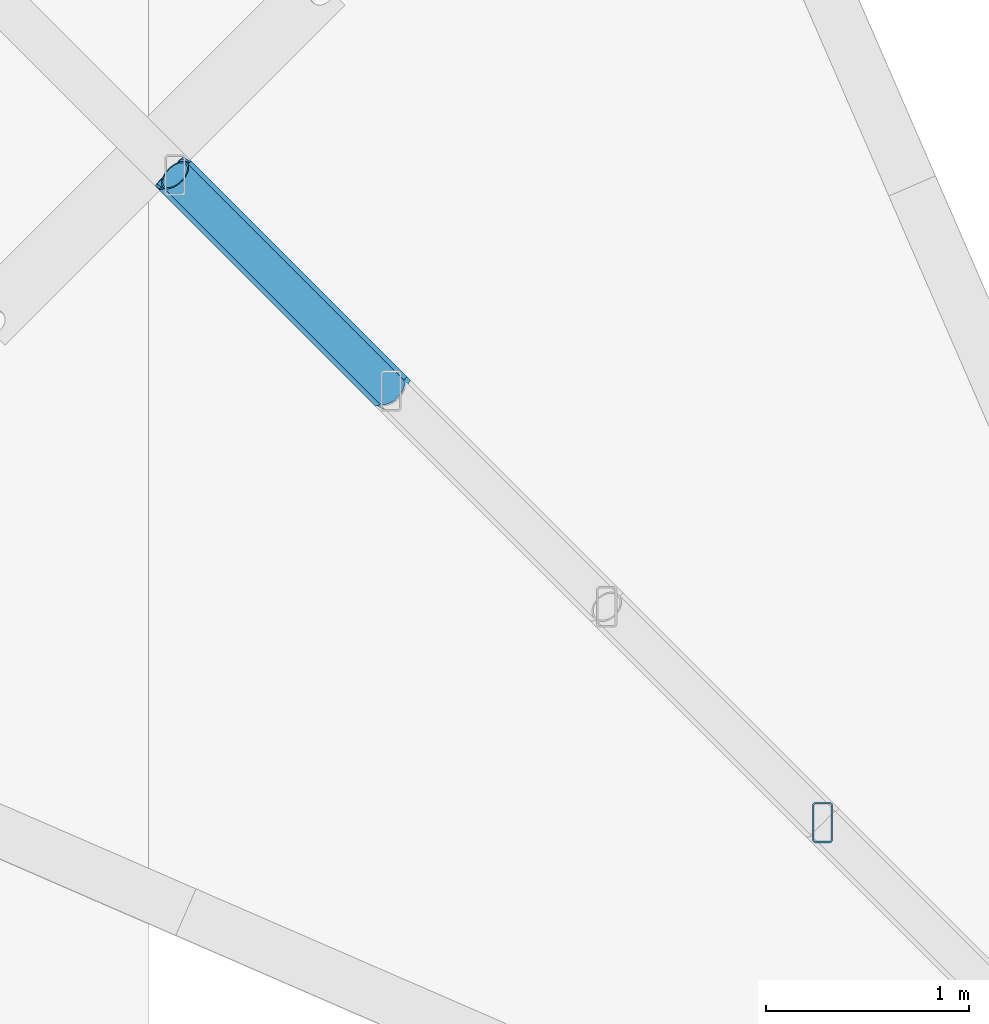
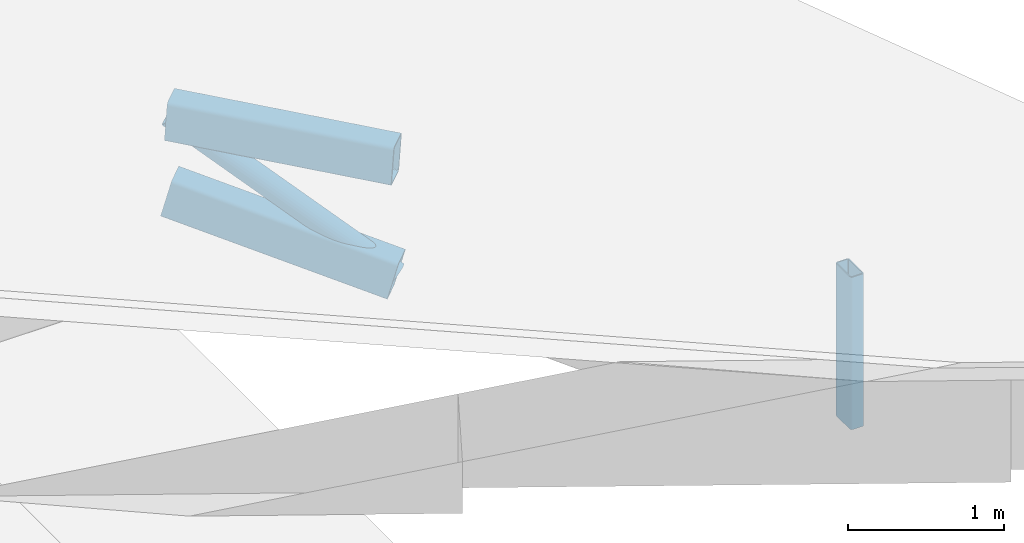
# One storey, part 35 of 95: 4 members.
"""IFC4 building model written with IfcOpenShell, lengths in metres."""

from ifc_helpers import new_model, si_unit, direction, frame, origin, origin_2d, place, context, subcontext, project, spatial, hollow_rectangle, hollow_circle, extrude, material, material_profile, profile_set, type_object, element, save


model = new_model("IFC4")

# Units and contexts
model_context = context("Model", 3, precision=1e-05, world=origin(), true_north=direction((0.0, 1.0)))
body_context = subcontext(model_context, "Body", "Model", "MODEL_VIEW")
ifc_project = project(units=[si_unit("LENGTHUNIT", "METRE"), si_unit("AREAUNIT", "SQUARE_METRE"), si_unit("VOLUMEUNIT", "CUBIC_METRE"), si_unit("PLANEANGLEUNIT", "RADIAN"), si_unit("MASSUNIT", "GRAM", prefix="KILO")], contexts=[model_context])

# Site, building, storey
site_placement = place(None, origin())
site = spatial("IfcSite", under=ifc_project, at=site_placement, CompositionType="ELEMENT")
building_placement = place(site_placement, origin())
building = spatial("IfcBuilding", under=site, at=building_placement, Name="Magnolia Steps Interchange", CompositionType="ELEMENT")
storey_placement = place(building_placement, frame((0.0, 0.0, 4.800048828125)))
storey = spatial("IfcBuildingStorey", under=building, at=storey_placement, Name="L01", CompositionType="ELEMENT", Elevation=4.800048828125)

# Members
ifc_material_1 = material(Name="Steel Q355B", Category="steel")
ifc_material_profile_1 = material_profile(ifc_material_1, hollow_rectangle(XDim=0.199951171875, YDim=0.300048828125, WallThickness=0.011962890625, InnerFilletRadius=0.011962890625, OuterFilletRadius=0.02392578125, at=origin_2d()), Name="RHS300x200x12")
ifc_profile_set_1 = profile_set([ifc_material_profile_1], Name="Steel Q355B")
member_type_1 = type_object("IfcMemberType", Name="Roof truss RHS300x200x12", PredefinedType="USERDEFINED", material=ifc_profile_set_1)
member_1_placement = place(storey_placement, frame((184.93115234375, 40.268798828125, 1.41259765625), z_axis=(0.706169125443, -0.706169125443, -0.051481380534), x_axis=(0.704299267169, 0.708043195164, -0.051355389664)))
element("IfcMember", 1, at=member_1_placement, inside=storey, type_object=member_type_1, Name="Spike truss SP-C-SE top chord", ObjectType="Roof truss", PredefinedType="USERDEFINED", context=body_context, shape_type="SweptSolid", body=[
    extrude(hollow_rectangle(XDim=0.199951171875, YDim=0.300048828125, WallThickness=0.011962890625, InnerFilletRadius=0.011962890625, OuterFilletRadius=0.02392578125, at=origin_2d()), origin(), (0.0, 0.0, 1.0), 1.508056640625),
])
member_2_placement = place(storey_placement, frame((184.93115234375, 40.268798828125, 0.8125), z_axis=(0.68576353985, -0.68576353985, -0.243837517264), x_axis=(0.697097727804, 0.71517194524, -0.05083155155)))
element("IfcMember", 2, at=member_2_placement, inside=storey, type_object=member_type_1, Name="Spike truss SP-C-SE bottom chord", ObjectType="Roof truss", PredefinedType="USERDEFINED", context=body_context, shape_type="SweptSolid", body=[
    extrude(hollow_rectangle(XDim=0.199951171875, YDim=0.300048828125, WallThickness=0.011962890625, InnerFilletRadius=0.011962890625, OuterFilletRadius=0.02392578125, at=origin_2d()), origin(), (0.0, 0.0, 1.0), 1.552978515625),
])
ifc_material_2 = material(Name="Steel Q355B", Category="steel")
ifc_material_profile_2 = material_profile(ifc_material_2, hollow_circle(Radius=0.083984375, WallThickness=0.008056640625, at=origin_2d()), Name="CHS168x8")
ifc_profile_set_2 = profile_set([ifc_material_profile_2], Name="Steel Q355B")
member_type_2 = type_object("IfcMemberType", Name="Roof truss diagonal CHS168x8", PredefinedType="USERDEFINED", material=ifc_profile_set_2)
member_3_placement = place(storey_placement, frame((184.93115234375, 40.268798828125, 1.41259765625), z_axis=(0.592900773099, -0.592900773099, -0.544919578027), x_axis=(0.682972515629, 0.728744326389, -0.049802104898)))
element("IfcMember", 3, at=member_3_placement, inside=storey, type_object=member_type_2, Name="Spike truss SP-C-SE diagonal", ObjectType="Roof truss diagonal", PredefinedType="USERDEFINED", context=body_context, shape_type="SweptSolid", body=[
    extrude(hollow_circle(Radius=0.083984375, WallThickness=0.008056640625, at=origin_2d()), origin(), (0.0, 0.0, 1.0), 1.796142578125),
])
ifc_material_3 = material(Name="Steel Q355B", Category="steel")
ifc_material_profile_3 = material_profile(ifc_material_3, hollow_rectangle(XDim=0.10009765625, YDim=0.199951171875, WallThickness=0.008056640625, InnerFilletRadius=0.008056640625, OuterFilletRadius=0.01611328125, at=origin_2d()), Name="RHS200x100x8")
ifc_profile_set_3 = profile_set([ifc_material_profile_3], Name="Steel Q355B")
member_type_3 = type_object("IfcMemberType", Name="Roof truss post RHS200x100x8", PredefinedType="USERDEFINED", material=ifc_profile_set_3)
member_4_placement = place(storey_placement, frame((188.1259765625, 37.07421875, -0.16455078125), z_axis=(0.0, 0.0, 1.0), x_axis=(1.0, 0.0, 0.0)))
element("IfcMember", 4, at=member_4_placement, inside=storey, type_object=member_type_3, Name="Spike truss SP-C-SE post", ObjectType="Roof truss post", PredefinedType="USERDEFINED", context=body_context, shape_type="SweptSolid", body=[
    extrude(hollow_rectangle(XDim=0.10009765625, YDim=0.199951171875, WallThickness=0.008056640625, InnerFilletRadius=0.008056640625, OuterFilletRadius=0.01611328125, at=origin_2d()), origin(), (0.0, 0.0, 1.0), 1.194091796875),
])

save(model, "model.ifc")
